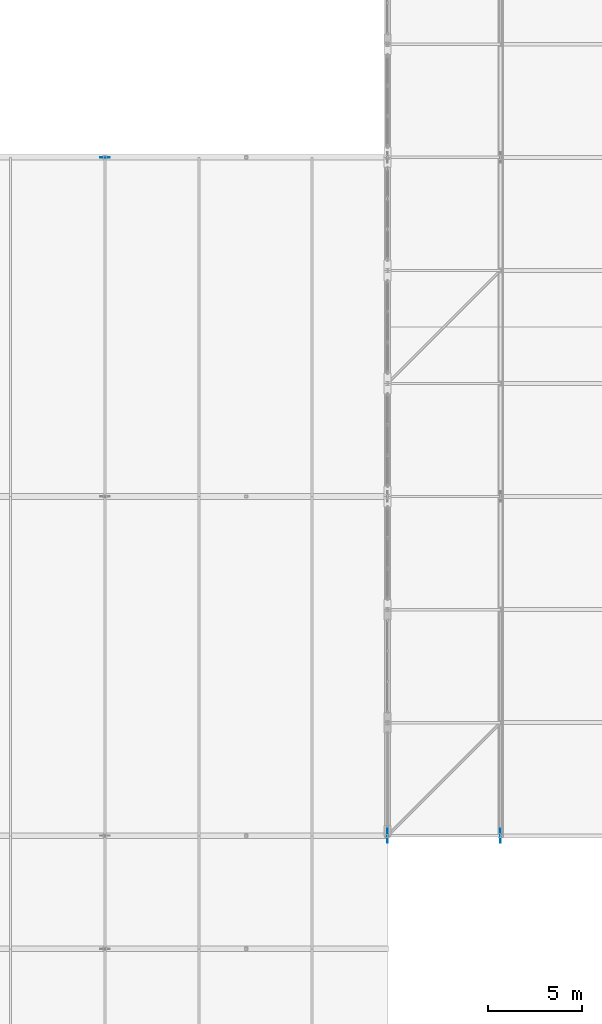
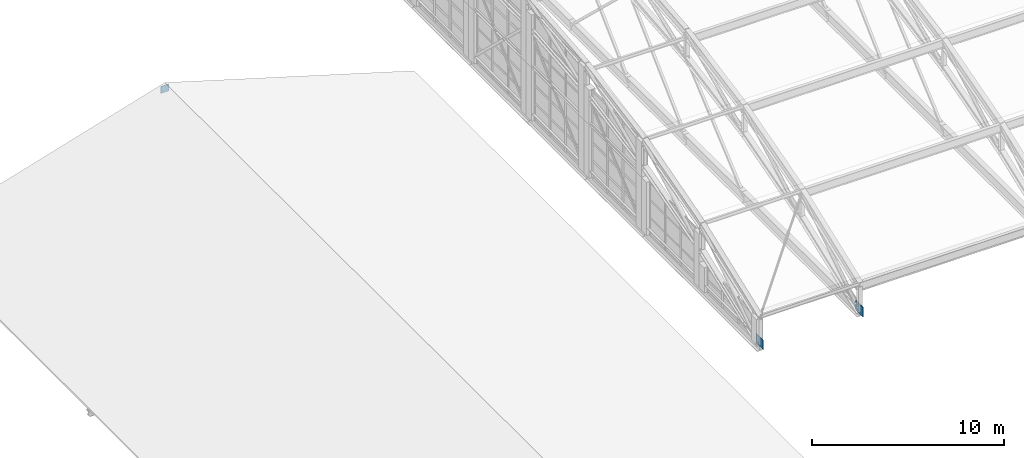
# One storey, part 176 of 204: 3 plates.
"""IFC4 building model written with IfcOpenShell, lengths in metres."""

from ifc_helpers import new_model, si_unit, direction, frame, origin, origin_2d, place, context, subcontext, project, spatial, rectangle, extrude, material, layer, layer_set, type_object, element, save


model = new_model("IFC4")

# Units and contexts
model_context = context("Model", 3, precision=1e-05, world=origin(), true_north=direction((0.0, 1.0)))
body_context = subcontext(model_context, "Body", "Model", "MODEL_VIEW")
ifc_project = project(units=[si_unit("LENGTHUNIT", "METRE"), si_unit("AREAUNIT", "SQUARE_METRE"), si_unit("VOLUMEUNIT", "CUBIC_METRE"), si_unit("PLANEANGLEUNIT", "RADIAN"), si_unit("MASSUNIT", "GRAM", prefix="KILO")], contexts=[model_context])

# Site, building, storey
site_placement = place(None, origin())
site = spatial("IfcSite", under=ifc_project, at=site_placement, CompositionType="ELEMENT")
building_placement = place(site_placement, origin())
building = spatial("IfcBuilding", under=site, at=building_placement, Name="Zilviju Railside Exhibition Hall", CompositionType="ELEMENT")
storey_placement = place(building_placement, frame((0.0, 0.0, 21.0)))
storey = spatial("IfcBuildingStorey", under=building, at=storey_placement, Name="RF", CompositionType="ELEMENT", Elevation=21.0)

# Plates
ifc_material_1 = material(Name="Steel S355J2", Category="steel")
ifc_layer_1 = layer(ifc_material_1, 0.02001953125)
ifc_layer_set_1 = layer_set([ifc_layer_1], Name="Steel S355J2")
plate_type_1 = type_object("IfcPlateType", Name="PLATE-GP-20", PredefinedType="SHEET", material=ifc_layer_set_1)
plate_placement = place(storey_placement, frame((63.0, 120.0, -4.1748046875), z_axis=(0.0, 0.0, 1.0), x_axis=(1.0, 0.0, 0.0)))
element("IfcPlate", 1, at=plate_placement, inside=storey, type_object=plate_type_1, Name="Concourse Apex Gusset Y=120.0", PredefinedType="SHEET", context=body_context, shape_type="SweptSolid", body=[
    extrude(rectangle(XDim=0.5, YDim=0.02001953125, at=origin_2d()), origin(), (0.0, 0.0, 1.0), 0.449951171875),
])
ifc_material_2 = material(Name="Steel S355ML", Category="steel")
ifc_layer_2 = layer(ifc_material_2, 0.034912109375)
ifc_layer_set_2 = layer_set([ifc_layer_2], Name="Steel S355ML")
plate_type_2 = type_object("IfcPlateType", Name="PLATE-GP-35", PredefinedType="SHEET", material=ifc_layer_set_2)
for number, where, z_axis, x_axis, name in (
    (2, (78.0, 84.0, -3.75), (0.0, 0.0, 1.0), (1.0, 0.0, 0.0), "V2 Arch Pin-Shoe Gusset Plate X=78.0"),
    (3, (84.0, 84.0, -3.75), (0.0, 0.0, 1.0), (1.0, 0.0, 0.0), "V2 Arch Pin-Shoe Gusset Plate X=84.0"),
):
    element("IfcPlate", number, at=place(storey_placement, frame(where, z_axis=z_axis, x_axis=x_axis)), inside=storey, type_object=plate_type_2, Name=name, PredefinedType="SHEET", context=body_context, shape_type="SweptSolid", body=[
        extrude(rectangle(XDim=0.034912109375, YDim=0.75, at=origin_2d()), origin(), (0.0, 0.0, 1.0), 0.60009765625),
    ])

save(model, "model.ifc")
